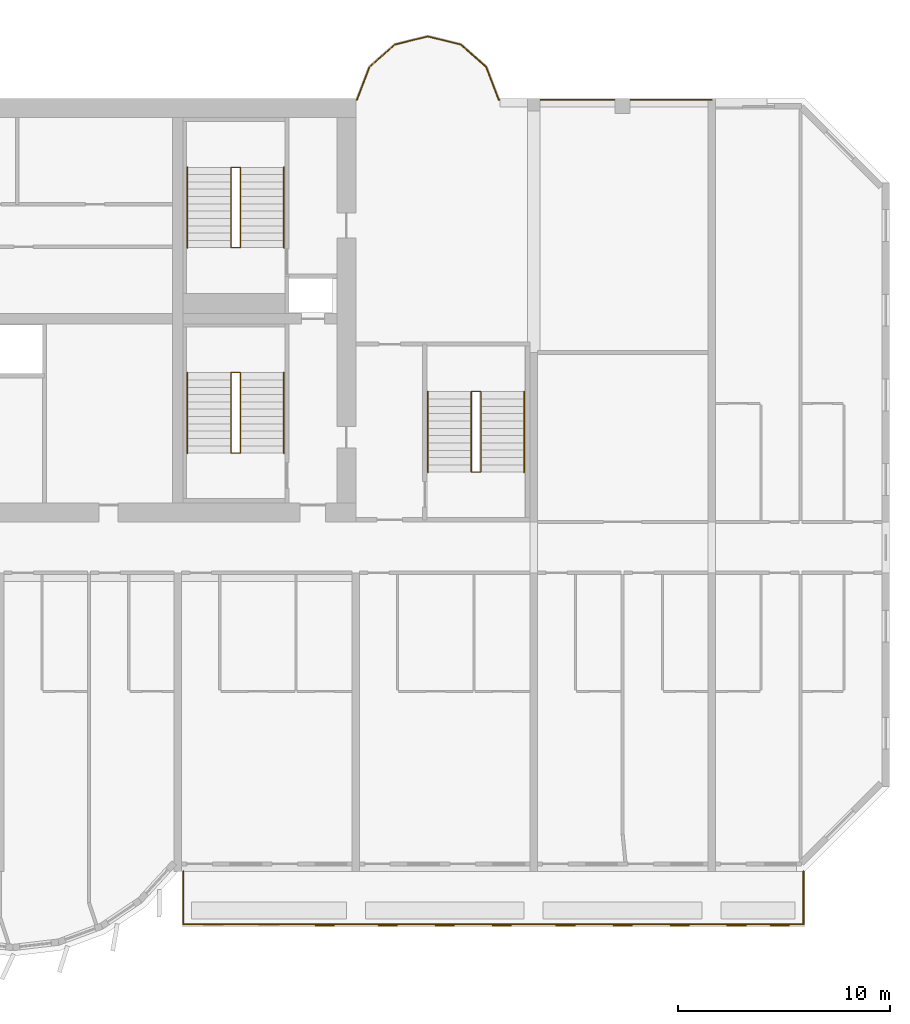
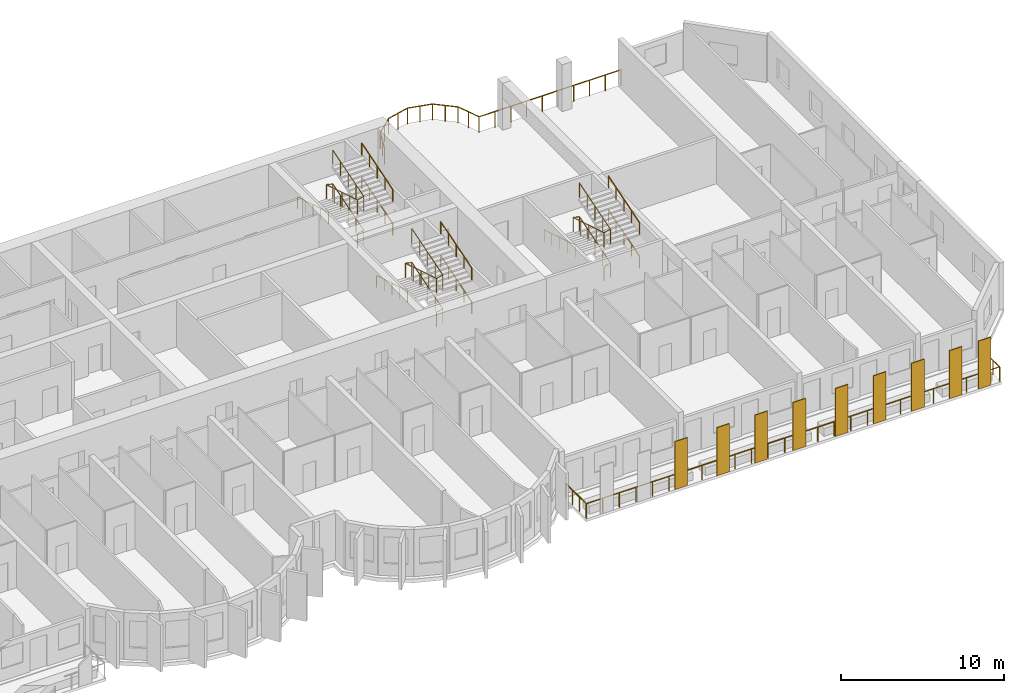
# One storey, part 14 of 15: 14 railings, 9 coverings.
"""IFC4 building model written with IfcOpenShell, lengths in metres."""

from ifc_helpers import new_model, si_unit, direction, frame, origin, origin_2d, place, context, subcontext, project, spatial, rectangle, circle, extrude, source, transform, mapped, material, layer, layer_set, type_object, element, save


model = new_model("IFC4")

# Units and contexts
model_context = context("Model", 3, precision=1e-05, world=origin(), true_north=direction((0.0, 1.0)))
body_context = subcontext(model_context, "Body", "Model", "MODEL_VIEW")
ifc_project = project(units=[si_unit("LENGTHUNIT", "METRE"), si_unit("AREAUNIT", "SQUARE_METRE"), si_unit("VOLUMEUNIT", "CUBIC_METRE"), si_unit("PLANEANGLEUNIT", "RADIAN"), si_unit("MASSUNIT", "GRAM", prefix="KILO")], contexts=[model_context])

# Site, building, storey
site_placement = place(None, origin())
site = spatial("IfcSite", under=ifc_project, at=site_placement, CompositionType="ELEMENT")
building_placement = place(site_placement, origin())
building = spatial("IfcBuilding", under=site, at=building_placement, Name="Vanashikhar Sky Hotel", CompositionType="ELEMENT")
storey_placement = place(building_placement, frame((0.0, 0.0, 106.60009765625)))
storey = spatial("IfcBuildingStorey", under=building, at=storey_placement, Name="L25", CompositionType="ELEMENT", Elevation=106.60009765625)

# Railing
ifc_material_1 = material(Name="Stainless steel 316", Category="steel")
railing_type_1 = type_object("IfcRailingType", Name="Balcony guard 1100", PredefinedType="GUARDRAIL", material=ifc_material_1)
shared_shape_1 = source(origin(), body_context, "Body", "SweptSolid", [
    extrude(circle(Radius=0.02392578125, at=origin_2d()), frame((0.0, 0.0, 1.076171875), z_axis=(0.0, -1.0, 0.0), x_axis=(1.0, 0.0, 0.0)), (0.0, 0.0, 1.0), 2.5),
    extrude(circle(Radius=0.02392578125, at=origin_2d()), frame((0.0, -2.5, 1.076171875), z_axis=(1.0, 0.0, 0.0), x_axis=(0.0, 1.0, 0.0)), (0.0, 0.0, 1.0), 29.280029296875),
    extrude(circle(Radius=0.02392578125, at=origin_2d()), frame((29.280029296875, -2.5, 1.076171875), z_axis=(0.0, 1.0, 0.0), x_axis=(-1.0, 0.0, 0.0)), (0.0, 0.0, 1.0), 2.5),
    extrude(circle(Radius=0.02099609375, at=origin_2d()), origin(), (0.0, 0.0, 1.0), 1.052001953125),
    extrude(circle(Radius=0.02099609375, at=origin_2d()), frame((0.0, -0.833251953125, 0.0)), (0.0, 0.0, 1.0), 1.052001953125),
    extrude(circle(Radius=0.02099609375, at=origin_2d()), frame((0.0, -1.666748046875, 0.0)), (0.0, 0.0, 1.0), 1.052001953125),
    extrude(circle(Radius=0.02099609375, at=origin_2d()), frame((0.0, -2.5, 0.0)), (0.0, 0.0, 1.0), 1.052001953125),
    extrude(circle(Radius=0.02099609375, at=origin_2d()), frame((1.171142578125, -2.5, 0.0)), (0.0, 0.0, 1.0), 1.052001953125),
    extrude(circle(Radius=0.02099609375, at=origin_2d()), frame((2.34228515625, -2.5, 0.0)), (0.0, 0.0, 1.0), 1.052001953125),
    extrude(circle(Radius=0.02099609375, at=origin_2d()), frame((3.513671875, -2.5, 0.0)), (0.0, 0.0, 1.0), 1.052001953125),
    extrude(circle(Radius=0.02099609375, at=origin_2d()), frame((4.684814453125, -2.5, 0.0)), (0.0, 0.0, 1.0), 1.052001953125),
    extrude(circle(Radius=0.02099609375, at=origin_2d()), frame((5.85595703125, -2.5, 0.0)), (0.0, 0.0, 1.0), 1.052001953125),
    extrude(circle(Radius=0.02099609375, at=origin_2d()), frame((7.027099609375, -2.5, 0.0)), (0.0, 0.0, 1.0), 1.052001953125),
    extrude(circle(Radius=0.02099609375, at=origin_2d()), frame((8.198486328125, -2.5, 0.0)), (0.0, 0.0, 1.0), 1.052001953125),
    extrude(circle(Radius=0.02099609375, at=origin_2d()), frame((9.36962890625, -2.5, 0.0)), (0.0, 0.0, 1.0), 1.052001953125),
    extrude(circle(Radius=0.02099609375, at=origin_2d()), frame((10.540771484375, -2.5, 0.0)), (0.0, 0.0, 1.0), 1.052001953125),
    extrude(circle(Radius=0.02099609375, at=origin_2d()), frame((11.7119140625, -2.5, 0.0)), (0.0, 0.0, 1.0), 1.052001953125),
    extrude(circle(Radius=0.02099609375, at=origin_2d()), frame((12.88330078125, -2.5, 0.0)), (0.0, 0.0, 1.0), 1.052001953125),
    extrude(circle(Radius=0.02099609375, at=origin_2d()), frame((14.054443359375, -2.5, 0.0)), (0.0, 0.0, 1.0), 1.052001953125),
    extrude(circle(Radius=0.02099609375, at=origin_2d()), frame((15.2255859375, -2.5, 0.0)), (0.0, 0.0, 1.0), 1.052001953125),
    extrude(circle(Radius=0.02099609375, at=origin_2d()), frame((16.396728515625, -2.5, 0.0)), (0.0, 0.0, 1.0), 1.052001953125),
    extrude(circle(Radius=0.02099609375, at=origin_2d()), frame((17.568115234375, -2.5, 0.0)), (0.0, 0.0, 1.0), 1.052001953125),
    extrude(circle(Radius=0.02099609375, at=origin_2d()), frame((18.7392578125, -2.5, 0.0)), (0.0, 0.0, 1.0), 1.052001953125),
    extrude(circle(Radius=0.02099609375, at=origin_2d()), frame((19.910400390625, -2.5, 0.0)), (0.0, 0.0, 1.0), 1.052001953125),
    extrude(circle(Radius=0.02099609375, at=origin_2d()), frame((21.08154296875, -2.5, 0.0)), (0.0, 0.0, 1.0), 1.052001953125),
    extrude(circle(Radius=0.02099609375, at=origin_2d()), frame((22.2529296875, -2.5, 0.0)), (0.0, 0.0, 1.0), 1.052001953125),
    extrude(circle(Radius=0.02099609375, at=origin_2d()), frame((23.424072265625, -2.5, 0.0)), (0.0, 0.0, 1.0), 1.052001953125),
    extrude(circle(Radius=0.02099609375, at=origin_2d()), frame((24.59521484375, -2.5, 0.0)), (0.0, 0.0, 1.0), 1.052001953125),
    extrude(circle(Radius=0.02099609375, at=origin_2d()), frame((25.766357421875, -2.5, 0.0)), (0.0, 0.0, 1.0), 1.052001953125),
    extrude(circle(Radius=0.02099609375, at=origin_2d()), frame((26.937744140625, -2.5, 0.0)), (0.0, 0.0, 1.0), 1.052001953125),
    extrude(circle(Radius=0.02099609375, at=origin_2d()), frame((28.10888671875, -2.5, 0.0)), (0.0, 0.0, 1.0), 1.052001953125),
    extrude(circle(Radius=0.02099609375, at=origin_2d()), frame((29.280029296875, -2.5, 0.0)), (0.0, 0.0, 1.0), 1.052001953125),
    extrude(circle(Radius=0.02099609375, at=origin_2d()), frame((29.280029296875, -1.666748046875, 0.0)), (0.0, 0.0, 1.0), 1.052001953125),
    extrude(circle(Radius=0.02099609375, at=origin_2d()), frame((29.280029296875, -0.833251953125, 0.0)), (0.0, 0.0, 1.0), 1.052001953125),
    extrude(circle(Radius=0.02099609375, at=origin_2d()), frame((29.280029296875, 0.0, 0.0)), (0.0, 0.0, 1.0), 1.052001953125),
])
railing_1_placement = place(storey_placement, frame((67.4599609375, 5.5, -0.050048828125)))
element("IfcRailing", 1, at=railing_1_placement, inside=storey, type_object=railing_type_1, Name="Balcony guard", PredefinedType="GUARDRAIL", context=body_context, shape_type="MappedRepresentation", body=[
    mapped(shared_shape_1, transform((0.0, 0.0, 0.0), scale=1.0)),
])

# Coverings
ifc_material_2 = material(Name="Terracotta", Category="masonry")
ifc_layer = layer(ifc_material_2, 0.06005859375)
ifc_layer_set = layer_set([ifc_layer], Name="Terracotta baguette screen")
covering_type = type_object("IfcCoveringType", Name="Terracotta baguette screen", PredefinedType="CLADDING", material=ifc_layer_set)
shared_shape_2 = source(origin(), body_context, "Body", "SweptSolid", [
    extrude(rectangle(XDim=0.89990234375, YDim=0.06005859375, at=origin_2d()), origin(), (0.0, 0.0, 1.0), 3.60009765625),
])
for number, where, z_axis, x_axis, name in (
    (2, (74.13330078125, 2.929931640625, -0.050048828125), (0.0, 0.0, 1.0), (1.0, 0.0, 0.0), "Terracotta screen"),
    (3, (77.10009765625, 2.929931640625, -0.050048828125), (0.0, 0.0, 1.0), (1.0, 0.0, 0.0), "Terracotta screen"),
    (4, (79.800048828125, 2.929931640625, -0.050048828125), (0.0, 0.0, 1.0), (1.0, 0.0, 0.0), "Terracotta screen"),
    (5, (82.5, 2.929931640625, -0.050048828125), (0.0, 0.0, 1.0), (1.0, 0.0, 0.0), "Terracotta screen"),
    (6, (85.5, 2.929931640625, -0.050048828125), (0.0, 0.0, 1.0), (1.0, 0.0, 0.0), "Terracotta screen"),
    (7, (88.199951171875, 2.929931640625, -0.050048828125), (0.0, 0.0, 1.0), (1.0, 0.0, 0.0), "Terracotta screen"),
    (8, (90.89990234375, 2.929931640625, -0.050048828125), (0.0, 0.0, 1.0), (1.0, 0.0, 0.0), "Terracotta screen"),
    (9, (93.574951171875, 2.929931640625, -0.050048828125), (0.0, 0.0, 1.0), (1.0, 0.0, 0.0), "Terracotta screen"),
    (10, (95.625, 2.929931640625, -0.050048828125), (0.0, 0.0, 1.0), (1.0, 0.0, 0.0), "Terracotta screen"),
):
    element("IfcCovering", number, at=place(storey_placement, frame(where, z_axis=z_axis, x_axis=x_axis)), inside=storey, type_object=covering_type, Name=name, PredefinedType="CLADDING", context=body_context, shape_type="MappedRepresentation", body=[
        mapped(shared_shape_2, transform((0.0, 0.0, 0.0), scale=1.0)),
    ])

# Railings
railing_type_2 = type_object("IfcRailingType", Name="Refuge terrace guard 1200", PredefinedType="GUARDRAIL", material=ifc_material_1)
shared_shape_3 = source(origin(), body_context, "Body", "SweptSolid", [
    extrude(circle(Radius=0.02392578125, at=origin_2d()), frame((0.0, 0.0, 1.17578125), z_axis=(-1.0, 0.0, 0.0), x_axis=(0.0, -1.0, 0.0)), (0.0, 0.0, 1.0), 10.048095703125),
    extrude(circle(Radius=0.02392578125, at=origin_2d()), frame((-10.048095703125, 0.0, 1.17578125), z_axis=(-0.357682612009, 0.933843214392, 0.0), x_axis=(-0.933843214392, -0.357682612009, 0.0)), (0.0, 0.0, 1.0), 1.666015625),
    extrude(circle(Radius=0.02392578125, at=origin_2d()), frame((-10.64404296875, 1.555908203125, 1.17578125), z_axis=(-0.749699987355, 0.661777854692, 0.0), x_axis=(-0.661777854692, -0.749699987355, 0.0)), (0.0, 0.0, 1.0), 1.602294921875),
    extrude(circle(Radius=0.02392578125, at=origin_2d()), frame((-11.84521484375, 2.6162109375, 1.17578125), z_axis=(-0.971138901218, 0.238514642196, 0.0), x_axis=(-0.238514642196, -0.971138901218, 0.0)), (0.0, 0.0, 1.0), 1.600830078125),
    extrude(circle(Radius=0.02392578125, at=origin_2d()), frame((-13.39990234375, 2.998046875, 1.17578125), z_axis=(-0.971138901218, -0.238514642196, 0.0), x_axis=(0.238514642196, -0.971138901218, 0.0)), (0.0, 0.0, 1.0), 1.600830078125),
    extrude(circle(Radius=0.02392578125, at=origin_2d()), frame((-14.95458984375, 2.6162109375, 1.17578125), z_axis=(-0.749699987355, -0.661777854692, 0.0), x_axis=(0.661777854692, -0.749699987355, 0.0)), (0.0, 0.0, 1.0), 1.602294921875),
    extrude(circle(Radius=0.02392578125, at=origin_2d()), frame((-16.15576171875, 1.555908203125, 1.17578125), z_axis=(-0.357682612009, -0.933843214392, 0.0), x_axis=(0.933843214392, -0.357682612009, 0.0)), (0.0, 0.0, 1.0), 1.666015625),
    extrude(circle(Radius=0.02099609375, at=origin_2d()), origin(), (0.0, 0.0, 1.0), 1.15185546875),
    extrude(circle(Radius=0.02099609375, at=origin_2d()), frame((-1.116455078125, 0.0, 0.0)), (0.0, 0.0, 1.0), 1.15185546875),
    extrude(circle(Radius=0.02099609375, at=origin_2d()), frame((-2.23291015625, 0.0, 0.0)), (0.0, 0.0, 1.0), 1.15185546875),
    extrude(circle(Radius=0.02099609375, at=origin_2d()), frame((-3.349365234375, 0.0, 0.0)), (0.0, 0.0, 1.0), 1.15185546875),
    extrude(circle(Radius=0.02099609375, at=origin_2d()), frame((-4.4658203125, 0.0, 0.0)), (0.0, 0.0, 1.0), 1.15185546875),
    extrude(circle(Radius=0.02099609375, at=origin_2d()), frame((-5.582275390625, 0.0, 0.0)), (0.0, 0.0, 1.0), 1.15185546875),
    extrude(circle(Radius=0.02099609375, at=origin_2d()), frame((-6.69873046875, 0.0, 0.0)), (0.0, 0.0, 1.0), 1.15185546875),
    extrude(circle(Radius=0.02099609375, at=origin_2d()), frame((-7.815185546875, 0.0, 0.0)), (0.0, 0.0, 1.0), 1.15185546875),
    extrude(circle(Radius=0.02099609375, at=origin_2d()), frame((-8.931640625, 0.0, 0.0)), (0.0, 0.0, 1.0), 1.15185546875),
    extrude(circle(Radius=0.02099609375, at=origin_2d()), frame((-10.048095703125, 0.0, 0.0)), (0.0, 0.0, 1.0), 1.15185546875),
    extrude(circle(Radius=0.02099609375, at=origin_2d()), frame((-10.34619140625, 0.77783203125, 0.0)), (0.0, 0.0, 1.0), 1.15185546875),
    extrude(circle(Radius=0.02099609375, at=origin_2d()), frame((-10.64404296875, 1.555908203125, 0.0)), (0.0, 0.0, 1.0), 1.15185546875),
    extrude(circle(Radius=0.02099609375, at=origin_2d()), frame((-11.24462890625, 2.0859375, 0.0)), (0.0, 0.0, 1.0), 1.15185546875),
    extrude(circle(Radius=0.02099609375, at=origin_2d()), frame((-11.84521484375, 2.6162109375, 0.0)), (0.0, 0.0, 1.0), 1.15185546875),
    extrude(circle(Radius=0.02099609375, at=origin_2d()), frame((-12.62255859375, 2.80712890625, 0.0)), (0.0, 0.0, 1.0), 1.15185546875),
    extrude(circle(Radius=0.02099609375, at=origin_2d()), frame((-13.39990234375, 2.998046875, 0.0)), (0.0, 0.0, 1.0), 1.15185546875),
    extrude(circle(Radius=0.02099609375, at=origin_2d()), frame((-14.17724609375, 2.80712890625, 0.0)), (0.0, 0.0, 1.0), 1.15185546875),
    extrude(circle(Radius=0.02099609375, at=origin_2d()), frame((-14.95458984375, 2.6162109375, 0.0)), (0.0, 0.0, 1.0), 1.15185546875),
    extrude(circle(Radius=0.02099609375, at=origin_2d()), frame((-15.55517578125, 2.0859375, 0.0)), (0.0, 0.0, 1.0), 1.15185546875),
    extrude(circle(Radius=0.02099609375, at=origin_2d()), frame((-16.15576171875, 1.555908203125, 0.0)), (0.0, 0.0, 1.0), 1.15185546875),
    extrude(circle(Radius=0.02099609375, at=origin_2d()), frame((-16.45361328125, 0.77783203125, 0.0)), (0.0, 0.0, 1.0), 1.15185546875),
    extrude(circle(Radius=0.02099609375, at=origin_2d()), frame((-16.751708984375, 0.0, 0.0)), (0.0, 0.0, 1.0), 1.15185546875),
])
railing_2_placement = place(storey_placement, frame((92.39990234375, 41.929931640625, 0.0)))
element("IfcRailing", 11, at=railing_2_placement, inside=storey, type_object=railing_type_2, Name="Refuge terrace guard", PredefinedType="GUARDRAIL", context=body_context, shape_type="MappedRepresentation", body=[
    mapped(shared_shape_3, transform((0.0, 0.0, 0.0), scale=1.0)),
])
ifc_material_3 = material(Name="Steel S355", Category="steel")
railing_type_3 = type_object("IfcRailingType", Name="Stair handrail 900", PredefinedType="HANDRAIL", material=ifc_material_3)
shared_shape_4 = source(origin(), body_context, "Body", "SweptSolid", [
    extrude(circle(Radius=0.02392578125, at=origin_2d()), frame((0.0, 0.0, 0.8759765625), z_axis=(0.0, 0.95635109408, 0.292220096591), x_axis=(-1.0, 0.0, 0.0)), (0.0, 0.0, 1.0), 3.973388671875),
    extrude(circle(Radius=0.02099609375, at=origin_2d()), origin(), (0.0, 0.0, 1.0), 0.851806640625),
    extrude(circle(Radius=0.02099609375, at=origin_2d()), frame((0.0, 0.949951171875, 0.290283203125)), (0.0, 0.0, 1.0), 0.851806640625),
    extrude(circle(Radius=0.02099609375, at=origin_2d()), frame((0.0, 1.89990234375, 0.58056640625)), (0.0, 0.0, 1.0), 0.851806640625),
    extrude(circle(Radius=0.02099609375, at=origin_2d()), frame((0.0, 2.85009765625, 0.870849609375)), (0.0, 0.0, 1.0), 0.851806640625),
    extrude(circle(Radius=0.02099609375, at=origin_2d()), frame((0.0, 3.800048828125, 1.1611328125)), (0.0, 0.0, 1.0), 0.851806640625),
])
for number, where, name in (
    (12, (72.199951171875, 25.25, 0.10546875), "Exit stair 2 handrail"),
    (13, (72.199951171875, 25.25, 2.638671875), "Exit stair 2 handrail"),
    (14, (72.199951171875, 34.949951171875, 0.10546875), "Exit stair 6 handrail"),
    (15, (72.199951171875, 34.949951171875, 2.638671875), "Exit stair 6 handrail"),
):
    element("IfcRailing", number, at=place(storey_placement, frame(where)), inside=storey, type_object=railing_type_3, Name=name, PredefinedType="HANDRAIL", context=body_context, shape_type="MappedRepresentation", body=[
        mapped(shared_shape_4, transform((0.0, 0.0, 0.0), scale=1.0)),
    ])
shared_shape_5 = source(origin(), body_context, "Body", "SweptSolid", [
    extrude(circle(Radius=0.02392578125, at=origin_2d()), frame((0.0, 0.0, 0.8759765625), z_axis=(0.0, -0.95635109408, 0.292220096591), x_axis=(1.0, 0.0, 0.0)), (0.0, 0.0, 1.0), 3.973388671875),
    extrude(circle(Radius=0.02099609375, at=origin_2d()), origin(), (0.0, 0.0, 1.0), 0.851806640625),
    extrude(circle(Radius=0.02099609375, at=origin_2d()), frame((0.0, -0.949951171875, 0.290283203125)), (0.0, 0.0, 1.0), 0.851806640625),
    extrude(circle(Radius=0.02099609375, at=origin_2d()), frame((0.0, -1.89990234375, 0.58056640625)), (0.0, 0.0, 1.0), 0.851806640625),
    extrude(circle(Radius=0.02099609375, at=origin_2d()), frame((0.0, -2.85009765625, 0.870849609375)), (0.0, 0.0, 1.0), 0.851806640625),
    extrude(circle(Radius=0.02099609375, at=origin_2d()), frame((0.0, -3.800048828125, 1.1611328125)), (0.0, 0.0, 1.0), 0.851806640625),
])
for number, where, name in (
    (16, (67.64990234375, 29.050048828125, 1.3720703125), "Exit stair 2 handrail"),
    (17, (67.64990234375, 38.75, 1.3720703125), "Exit stair 6 handrail"),
):
    element("IfcRailing", number, at=place(storey_placement, frame(where)), inside=storey, type_object=railing_type_3, Name=name, PredefinedType="HANDRAIL", context=body_context, shape_type="MappedRepresentation", body=[
        mapped(shared_shape_5, transform((0.0, 0.0, 0.0), scale=1.0)),
    ])
railing_type_4 = type_object("IfcRailingType", Name="Stair guard 1100", PredefinedType="GUARDRAIL", material=ifc_material_3)
shared_shape_6 = source(origin(), body_context, "Body", "SweptSolid", [
    extrude(circle(Radius=0.02392578125, at=origin_2d()), frame((0.0, 0.0, 1.076171875), z_axis=(0.973610808694, 0.0, 0.228214796178), x_axis=(0.0, 1.0, 0.0)), (0.0, 0.0, 1.0), 0.462158203125),
    extrude(circle(Radius=0.02392578125, at=origin_2d()), frame((0.449951171875, 0.0, 1.181640625), z_axis=(0.0, 0.95635109408, 0.292220096591), x_axis=(-1.0, 0.0, 0.0)), (0.0, 0.0, 1.0), 3.973388671875),
    extrude(circle(Radius=0.02392578125, at=origin_2d()), frame((0.449951171875, 3.800048828125, 2.3427734375), z_axis=(-0.973610808694, 0.0, 0.228214796178), x_axis=(0.0, -1.0, 0.0)), (0.0, 0.0, 1.0), 0.462158203125),
    extrude(circle(Radius=0.02392578125, at=origin_2d()), frame((0.0, 3.800048828125, 2.4482421875), z_axis=(0.0, -0.95635109408, 0.292220096591), x_axis=(1.0, 0.0, 0.0)), (0.0, 0.0, 1.0), 3.973388671875),
    extrude(circle(Radius=0.02392578125, at=origin_2d()), frame((0.0, 0.0, 3.609375), z_axis=(0.973610808694, 0.0, 0.228214796178), x_axis=(0.0, 1.0, 0.0)), (0.0, 0.0, 1.0), 0.462158203125),
    extrude(circle(Radius=0.02392578125, at=origin_2d()), frame((0.449951171875, 0.0, 3.71484375), z_axis=(0.0, 0.95635109408, 0.292220096591), x_axis=(-1.0, 0.0, 0.0)), (0.0, 0.0, 1.0), 3.973388671875),
    extrude(circle(Radius=0.02099609375, at=origin_2d()), origin(), (0.0, 0.0, 1.0), 1.052001953125),
    extrude(circle(Radius=0.02099609375, at=origin_2d()), frame((0.449951171875, 0.0, 0.10546875)), (0.0, 0.0, 1.0), 1.052001953125),
    extrude(circle(Radius=0.02099609375, at=origin_2d()), frame((0.449951171875, 0.949951171875, 0.395751953125)), (0.0, 0.0, 1.0), 1.052001953125),
    extrude(circle(Radius=0.02099609375, at=origin_2d()), frame((0.449951171875, 1.89990234375, 0.68603515625)), (0.0, 0.0, 1.0), 1.052001953125),
    extrude(circle(Radius=0.02099609375, at=origin_2d()), frame((0.449951171875, 2.85009765625, 0.976318359375)), (0.0, 0.0, 1.0), 1.052001953125),
    extrude(circle(Radius=0.02099609375, at=origin_2d()), frame((0.449951171875, 3.800048828125, 1.2666015625)), (0.0, 0.0, 1.0), 1.052001953125),
    extrude(circle(Radius=0.02099609375, at=origin_2d()), frame((0.0, 3.800048828125, 1.3720703125)), (0.0, 0.0, 1.0), 1.052001953125),
    extrude(circle(Radius=0.02099609375, at=origin_2d()), frame((0.0, 2.85009765625, 1.662353515625)), (0.0, 0.0, 1.0), 1.052001953125),
    extrude(circle(Radius=0.02099609375, at=origin_2d()), frame((0.0, 1.89990234375, 1.95263671875)), (0.0, 0.0, 1.0), 1.052001953125),
    extrude(circle(Radius=0.02099609375, at=origin_2d()), frame((0.0, 0.949951171875, 2.242919921875)), (0.0, 0.0, 1.0), 1.052001953125),
    extrude(circle(Radius=0.02099609375, at=origin_2d()), frame((0.0, 0.0, 2.533203125)), (0.0, 0.0, 1.0), 1.052001953125),
    extrude(circle(Radius=0.02099609375, at=origin_2d()), frame((0.449951171875, 0.0, 2.638671875)), (0.0, 0.0, 1.0), 1.052001953125),
    extrude(circle(Radius=0.02099609375, at=origin_2d()), frame((0.449951171875, 0.949951171875, 2.928955078125)), (0.0, 0.0, 1.0), 1.052001953125),
    extrude(circle(Radius=0.02099609375, at=origin_2d()), frame((0.449951171875, 1.89990234375, 3.21923828125)), (0.0, 0.0, 1.0), 1.052001953125),
    extrude(circle(Radius=0.02099609375, at=origin_2d()), frame((0.449951171875, 2.85009765625, 3.509521484375)), (0.0, 0.0, 1.0), 1.052001953125),
    extrude(circle(Radius=0.02099609375, at=origin_2d()), frame((0.449951171875, 3.800048828125, 3.7998046875)), (0.0, 0.0, 1.0), 1.052001953125),
])
for number, where, name in (
    (18, (69.699951171875, 25.25, 0.0), "Exit stair 2 guard"),
    (19, (69.699951171875, 34.949951171875, 0.0), "Exit stair 6 guard"),
):
    element("IfcRailing", number, at=place(storey_placement, frame(where)), inside=storey, type_object=railing_type_4, Name=name, PredefinedType="GUARDRAIL", context=body_context, shape_type="MappedRepresentation", body=[
        mapped(shared_shape_6, transform((0.0, 0.0, 0.0), scale=1.0)),
    ])
shared_shape_7 = source(origin(), body_context, "Body", "SweptSolid", [
    extrude(circle(Radius=0.02392578125, at=origin_2d()), frame((0.0, 0.0, 0.8759765625), z_axis=(0.0, 0.956345846891, 0.292237268557), x_axis=(-1.0, 0.0, 0.0)), (0.0, 0.0, 1.0), 3.97314453125),
    extrude(circle(Radius=0.02099609375, at=origin_2d()), origin(), (0.0, 0.0, 1.0), 0.851806640625),
    extrude(circle(Radius=0.02099609375, at=origin_2d()), frame((0.0, 0.949951171875, 0.290283203125)), (0.0, 0.0, 1.0), 0.851806640625),
    extrude(circle(Radius=0.02099609375, at=origin_2d()), frame((0.0, 1.89990234375, 0.58056640625)), (0.0, 0.0, 1.0), 0.851806640625),
    extrude(circle(Radius=0.02099609375, at=origin_2d()), frame((0.0, 2.849853515625, 0.870849609375)), (0.0, 0.0, 1.0), 0.851806640625),
    extrude(circle(Radius=0.02099609375, at=origin_2d()), frame((0.0, 3.7998046875, 1.1611328125)), (0.0, 0.0, 1.0), 0.851806640625),
])
for number, where, name in (
    (20, (83.550048828125, 24.35009765625, 0.10546875), "Exit stair 4 handrail"),
    (21, (83.550048828125, 24.35009765625, 2.638671875), "Exit stair 4 handrail"),
):
    element("IfcRailing", number, at=place(storey_placement, frame(where)), inside=storey, type_object=railing_type_3, Name=name, PredefinedType="HANDRAIL", context=body_context, shape_type="MappedRepresentation", body=[
        mapped(shared_shape_7, transform((0.0, 0.0, 0.0), scale=1.0)),
    ])
shared_shape_8 = source(origin(), body_context, "Body", "SweptSolid", [
    extrude(circle(Radius=0.02392578125, at=origin_2d()), frame((0.0, 0.0, 0.8759765625), z_axis=(0.0, -0.956345846891, 0.292237268557), x_axis=(1.0, 0.0, 0.0)), (0.0, 0.0, 1.0), 3.97314453125),
    extrude(circle(Radius=0.02099609375, at=origin_2d()), origin(), (0.0, 0.0, 1.0), 0.851806640625),
    extrude(circle(Radius=0.02099609375, at=origin_2d()), frame((0.0, -0.949951171875, 0.290283203125)), (0.0, 0.0, 1.0), 0.851806640625),
    extrude(circle(Radius=0.02099609375, at=origin_2d()), frame((0.0, -1.89990234375, 0.58056640625)), (0.0, 0.0, 1.0), 0.851806640625),
    extrude(circle(Radius=0.02099609375, at=origin_2d()), frame((0.0, -2.849853515625, 0.870849609375)), (0.0, 0.0, 1.0), 0.851806640625),
    extrude(circle(Radius=0.02099609375, at=origin_2d()), frame((0.0, -3.7998046875, 1.1611328125)), (0.0, 0.0, 1.0), 0.851806640625),
])
railing_3_placement = place(storey_placement, frame((79.0, 28.14990234375, 1.3720703125)))
element("IfcRailing", 22, at=railing_3_placement, inside=storey, type_object=railing_type_3, Name="Exit stair 4 handrail", PredefinedType="HANDRAIL", context=body_context, shape_type="MappedRepresentation", body=[
    mapped(shared_shape_8, transform((0.0, 0.0, 0.0), scale=1.0)),
])
shared_shape_9 = source(origin(), body_context, "Body", "SweptSolid", [
    extrude(circle(Radius=0.02392578125, at=origin_2d()), frame((0.0, 0.0, 1.076171875), z_axis=(0.973610808694, 0.0, 0.228214796178), x_axis=(0.0, 1.0, 0.0)), (0.0, 0.0, 1.0), 0.462158203125),
    extrude(circle(Radius=0.02392578125, at=origin_2d()), frame((0.449951171875, 0.0, 1.181640625), z_axis=(0.0, 0.956345846891, 0.292237268557), x_axis=(-1.0, 0.0, 0.0)), (0.0, 0.0, 1.0), 3.97314453125),
    extrude(circle(Radius=0.02392578125, at=origin_2d()), frame((0.449951171875, 3.7998046875, 2.3427734375), z_axis=(-0.973610808694, 0.0, 0.228214796178), x_axis=(0.0, -1.0, 0.0)), (0.0, 0.0, 1.0), 0.462158203125),
    extrude(circle(Radius=0.02392578125, at=origin_2d()), frame((0.0, 3.7998046875, 2.4482421875), z_axis=(0.0, -0.956345846891, 0.292237268557), x_axis=(1.0, 0.0, 0.0)), (0.0, 0.0, 1.0), 3.97314453125),
    extrude(circle(Radius=0.02392578125, at=origin_2d()), frame((0.0, 0.0, 3.609375), z_axis=(0.973610808694, 0.0, 0.228214796178), x_axis=(0.0, 1.0, 0.0)), (0.0, 0.0, 1.0), 0.462158203125),
    extrude(circle(Radius=0.02392578125, at=origin_2d()), frame((0.449951171875, 0.0, 3.71484375), z_axis=(0.0, 0.956345846891, 0.292237268557), x_axis=(-1.0, 0.0, 0.0)), (0.0, 0.0, 1.0), 3.97314453125),
    extrude(circle(Radius=0.02099609375, at=origin_2d()), origin(), (0.0, 0.0, 1.0), 1.052001953125),
    extrude(circle(Radius=0.02099609375, at=origin_2d()), frame((0.449951171875, 0.0, 0.10546875)), (0.0, 0.0, 1.0), 1.052001953125),
    extrude(circle(Radius=0.02099609375, at=origin_2d()), frame((0.449951171875, 0.949951171875, 0.395751953125)), (0.0, 0.0, 1.0), 1.052001953125),
    extrude(circle(Radius=0.02099609375, at=origin_2d()), frame((0.449951171875, 1.89990234375, 0.68603515625)), (0.0, 0.0, 1.0), 1.052001953125),
    extrude(circle(Radius=0.02099609375, at=origin_2d()), frame((0.449951171875, 2.849853515625, 0.976318359375)), (0.0, 0.0, 1.0), 1.052001953125),
    extrude(circle(Radius=0.02099609375, at=origin_2d()), frame((0.449951171875, 3.7998046875, 1.2666015625)), (0.0, 0.0, 1.0), 1.052001953125),
    extrude(circle(Radius=0.02099609375, at=origin_2d()), frame((0.0, 3.7998046875, 1.3720703125)), (0.0, 0.0, 1.0), 1.052001953125),
    extrude(circle(Radius=0.02099609375, at=origin_2d()), frame((0.0, 2.849853515625, 1.662353515625)), (0.0, 0.0, 1.0), 1.052001953125),
    extrude(circle(Radius=0.02099609375, at=origin_2d()), frame((0.0, 1.89990234375, 1.95263671875)), (0.0, 0.0, 1.0), 1.052001953125),
    extrude(circle(Radius=0.02099609375, at=origin_2d()), frame((0.0, 0.949951171875, 2.242919921875)), (0.0, 0.0, 1.0), 1.052001953125),
    extrude(circle(Radius=0.02099609375, at=origin_2d()), frame((0.0, 0.0, 2.533203125)), (0.0, 0.0, 1.0), 1.052001953125),
    extrude(circle(Radius=0.02099609375, at=origin_2d()), frame((0.449951171875, 0.0, 2.638671875)), (0.0, 0.0, 1.0), 1.052001953125),
    extrude(circle(Radius=0.02099609375, at=origin_2d()), frame((0.449951171875, 0.949951171875, 2.928955078125)), (0.0, 0.0, 1.0), 1.052001953125),
    extrude(circle(Radius=0.02099609375, at=origin_2d()), frame((0.449951171875, 1.89990234375, 3.21923828125)), (0.0, 0.0, 1.0), 1.052001953125),
    extrude(circle(Radius=0.02099609375, at=origin_2d()), frame((0.449951171875, 2.849853515625, 3.509521484375)), (0.0, 0.0, 1.0), 1.052001953125),
    extrude(circle(Radius=0.02099609375, at=origin_2d()), frame((0.449951171875, 3.7998046875, 3.7998046875)), (0.0, 0.0, 1.0), 1.052001953125),
])
railing_4_placement = place(storey_placement, frame((81.050048828125, 24.35009765625, 0.0)))
element("IfcRailing", 23, at=railing_4_placement, inside=storey, type_object=railing_type_4, Name="Exit stair 4 guard", PredefinedType="GUARDRAIL", context=body_context, shape_type="MappedRepresentation", body=[
    mapped(shared_shape_9, transform((0.0, 0.0, 0.0), scale=1.0)),
])

save(model, "model.ifc")
